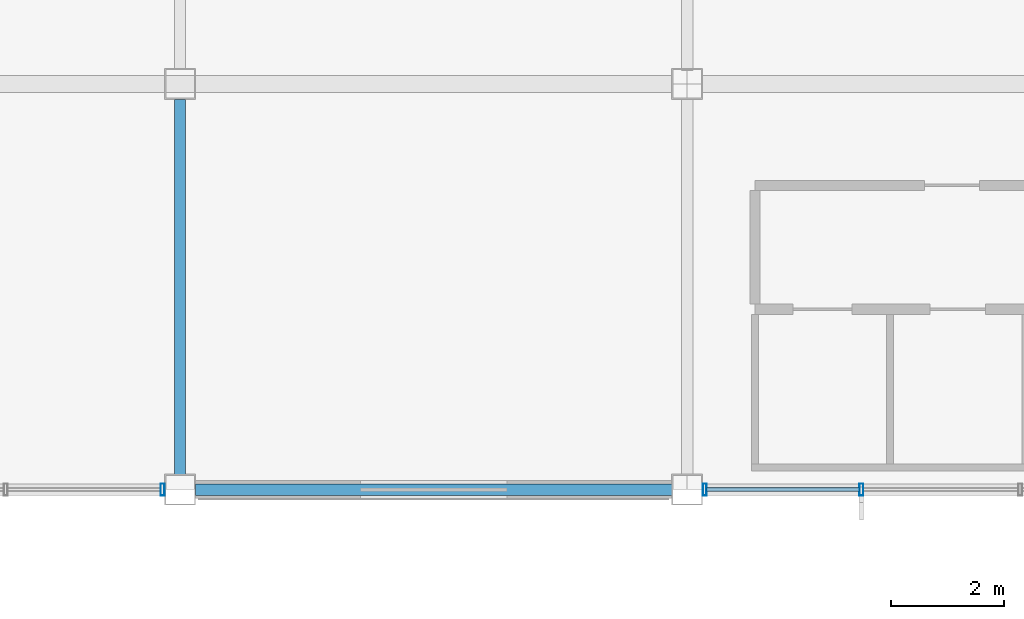
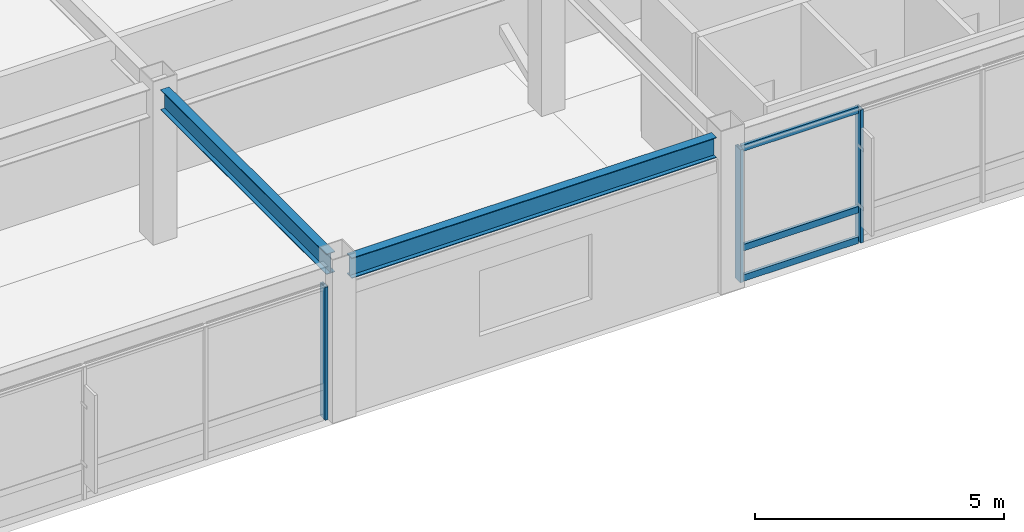
# One storey, part 70 of 122: 6 members, 2 beams, 2 elements without a shape of their own.
"""IFC4 building model written with IfcOpenShell, lengths in metres."""

from ifc_helpers import new_model, si_unit, direction, frame, origin, origin_2d, place, context, subcontext, project, spatial, hollow_rectangle, i_section, extrude, material, material_profile, profile_set, type_object, element, aggregate, save


model = new_model("IFC4")

# Units and contexts
model_context = context("Model", 3, precision=1e-05, world=origin(), true_north=direction((0.0, 1.0)))
body_context = subcontext(model_context, "Body", "Model", "MODEL_VIEW")
ifc_project = project(units=[si_unit("LENGTHUNIT", "METRE"), si_unit("AREAUNIT", "SQUARE_METRE"), si_unit("VOLUMEUNIT", "CUBIC_METRE"), si_unit("PLANEANGLEUNIT", "RADIAN"), si_unit("MASSUNIT", "GRAM", prefix="KILO")], contexts=[model_context])

# Site, building, storey
site_placement = place(None, origin())
site = spatial("IfcSite", under=ifc_project, at=site_placement, CompositionType="ELEMENT")
building_placement = place(site_placement, origin())
building = spatial("IfcBuilding", under=site, at=building_placement, Name="Kazanami Central Library", CompositionType="ELEMENT")
storey_placement = place(building_placement, frame((0.0, 0.0, 4.800048828125)))
storey = spatial("IfcBuildingStorey", under=building, at=storey_placement, Name="L02", CompositionType="ELEMENT", Elevation=4.800048828125)

# Beams
ifc_material_1 = material(Name="Steel SN490B (325 MPa)", Category="steel")
ifc_material_profile_1 = material_profile(ifc_material_1, i_section(OverallWidth=0.199951171875, OverallDepth=0.5, WebThickness=0.010009765625, FlangeThickness=0.01611328125, at=origin_2d()), Name="H-500x200x10x16")
ifc_profile_set_1 = profile_set([ifc_material_profile_1], Name="Steel SN490B (325 MPa)")
beam_type_1 = type_object("IfcBeamType", Name="BM-G-Y2", PredefinedType="BEAM", material=ifc_profile_set_1)
beam_1_placement = place(storey_placement, frame((81.0, 65.072998046875, 3.5048828125), z_axis=(0.0, 1.0, 0.0), x_axis=(-1.0, 0.0, 0.0)))
element("IfcBeam", 1, at=beam_1_placement, inside=storey, type_object=beam_type_1, Name="Girder G-Y2 L02 10/K-L", PredefinedType="BEAM", context=body_context, shape_type="SweptSolid", body=[
    extrude(i_section(OverallWidth=0.199951171875, OverallDepth=0.5, WebThickness=0.010009765625, FlangeThickness=0.01611328125, at=origin_2d()), origin(), (0.0, 0.0, 1.0), 6.654052734375),
])
ifc_material_profile_2 = material_profile(ifc_material_1, i_section(OverallWidth=0.199951171875, OverallDepth=0.5, WebThickness=0.010009765625, FlangeThickness=0.01611328125, at=origin_2d()), Name="H-500x200x10x16")
ifc_profile_set_2 = profile_set([ifc_material_profile_2], Name="Steel SN490B (325 MPa)")
beam_type_2 = type_object("IfcBeamType", Name="BM-SP-1", PredefinedType="SPANDREL", material=ifc_profile_set_2)
beam_2_placement = place(storey_placement, frame((81.27294921875, 64.800048828125, 3.5048828125), z_axis=(1.0, 0.0, 0.0), x_axis=(0.0, 1.0, 0.0)))
element("IfcBeam", 2, at=beam_2_placement, inside=storey, type_object=beam_type_2, Name="Girder SP-1 L02 K/10-11", PredefinedType="SPANDREL", context=body_context, shape_type="SweptSolid", body=[
    extrude(i_section(OverallWidth=0.199951171875, OverallDepth=0.5, WebThickness=0.010009765625, FlangeThickness=0.01611328125, at=origin_2d()), origin(), (0.0, 0.0, 1.0), 8.4541015625),
])

# Curtain wall, member
ifc_material_2 = material(Name="Acid-Etched Low-E Laminated Glass", Category="glass")
curtain_wall_type = type_object("IfcCurtainWallType", Name="CW-8450x3255-M275", PredefinedType="USERDEFINED", material=ifc_material_2)
curtain_wall_1_placement = place(storey_placement, origin())
curtain_wall_1 = element("IfcCurtainWall", 3, at=curtain_wall_1_placement, inside=storey, type_object=curtain_wall_type, Name="Unitised Curtain Wall CW-13 L02 S-K-08", ObjectType="UNITISED CURTAIN WALL", PredefinedType="USERDEFINED")
ifc_material_3 = material(Name="Anodised Aluminium A6063-T5", Category="aluminium")
ifc_material_profile_3 = material_profile(ifc_material_3, hollow_rectangle(XDim=0.070068359375, YDim=0.2099609375, WallThickness=0.0048828125, at=origin_2d()), Name="ALU-MULL-70x210x5")
ifc_profile_set_3 = profile_set([ifc_material_profile_3], Name="Anodised Aluminium A6063-T5")
member_type_1 = type_object("IfcMemberType", Name="MEM-CW-M1", PredefinedType="MULLION", material=ifc_profile_set_3)
member_1_placement = place(storey_placement, frame((80.68994140625, 64.800048828125, 0.0), z_axis=(0.0, 0.0, 1.0), x_axis=(1.0, 0.0, 0.0)))
member_1 = element("IfcMember", 4, at=member_1_placement, type_object=member_type_1, Name="CW-13 mullion 4", PredefinedType="MULLION", context=body_context, shape_type="SweptSolid", body=[
    extrude(hollow_rectangle(XDim=0.070068359375, YDim=0.2099609375, WallThickness=0.0048828125, at=origin_2d()), origin(), (0.0, 0.0, 1.0), 3.2548828125),
])
aggregate(curtain_wall_1, [member_1])

# Curtain wall, members
curtain_wall_2_placement = place(storey_placement, origin())
curtain_wall_2 = element("IfcCurtainWall", 5, at=curtain_wall_2_placement, inside=storey, type_object=curtain_wall_type, Name="Unitised Curtain Wall CW-13 L02 S-K-10", ObjectType="UNITISED CURTAIN WALL", PredefinedType="USERDEFINED")
member_2_placement = place(storey_placement, frame((90.31005859375, 64.800048828125, 0.0), z_axis=(0.0, 0.0, 1.0), x_axis=(1.0, 0.0, 0.0)))
member_2 = element("IfcMember", 6, at=member_2_placement, type_object=member_type_1, Name="CW-13 mullion 1", PredefinedType="MULLION", context=body_context, shape_type="SweptSolid", body=[
    extrude(hollow_rectangle(XDim=0.070068359375, YDim=0.2099609375, WallThickness=0.0048828125, at=origin_2d()), origin(), (0.0, 0.0, 1.0), 3.2548828125),
])
member_3_placement = place(storey_placement, frame((93.091552734375, 64.800048828125, 0.0), z_axis=(0.0, 0.0, 1.0), x_axis=(1.0, 0.0, 0.0)))
member_3 = element("IfcMember", 7, at=member_3_placement, type_object=member_type_1, Name="CW-13 mullion 2", PredefinedType="MULLION", context=body_context, shape_type="SweptSolid", body=[
    extrude(hollow_rectangle(XDim=0.070068359375, YDim=0.2099609375, WallThickness=0.0048828125, at=origin_2d()), origin(), (0.0, 0.0, 1.0), 3.2548828125),
])
ifc_material_profile_4 = material_profile(ifc_material_3, hollow_rectangle(XDim=0.070068359375, YDim=0.159912109375, WallThickness=0.00390625, at=origin_2d()), Name="ALU-TRAN-70x160x4")
ifc_profile_set_4 = profile_set([ifc_material_profile_4], Name="Anodised Aluminium A6063-T5")
member_type_2 = type_object("IfcMemberType", Name="MEM-CW-T1", PredefinedType="USERDEFINED", material=ifc_profile_set_4)
member_4_placement = place(storey_placement, frame((90.344970703125, 64.800048828125, 0.034912109375), z_axis=(1.0, 0.0, 0.0), x_axis=(0.0, 1.0, 0.0)))
member_4 = element("IfcMember", 8, at=member_4_placement, type_object=member_type_2, Name="CW-13 transom 1.1", ObjectType="TRANSOM", PredefinedType="USERDEFINED", context=body_context, shape_type="SweptSolid", body=[
    extrude(hollow_rectangle(XDim=0.070068359375, YDim=0.159912109375, WallThickness=0.00390625, at=origin_2d()), origin(), (0.0, 0.0, 1.0), 2.711669921875),
])
member_5_placement = place(storey_placement, frame((90.344970703125, 64.800048828125, 0.780029296875), z_axis=(1.0, 0.0, 0.0), x_axis=(0.0, 1.0, 0.0)))
member_5 = element("IfcMember", 9, at=member_5_placement, type_object=member_type_2, Name="CW-13 transom 1.2", ObjectType="TRANSOM", PredefinedType="USERDEFINED", context=body_context, shape_type="SweptSolid", body=[
    extrude(hollow_rectangle(XDim=0.070068359375, YDim=0.159912109375, WallThickness=0.00390625, at=origin_2d()), origin(), (0.0, 0.0, 1.0), 2.711669921875),
])
member_6_placement = place(storey_placement, frame((90.344970703125, 64.800048828125, 3.219970703125), z_axis=(1.0, 0.0, 0.0), x_axis=(0.0, 1.0, 0.0)))
member_6 = element("IfcMember", 10, at=member_6_placement, type_object=member_type_2, Name="CW-13 transom 1.3", ObjectType="TRANSOM", PredefinedType="USERDEFINED", context=body_context, shape_type="SweptSolid", body=[
    extrude(hollow_rectangle(XDim=0.070068359375, YDim=0.159912109375, WallThickness=0.00390625, at=origin_2d()), origin(), (0.0, 0.0, 1.0), 2.711669921875),
])
aggregate(curtain_wall_2, [member_2, member_3, member_4, member_5, member_6])

save(model, "model.ifc")
